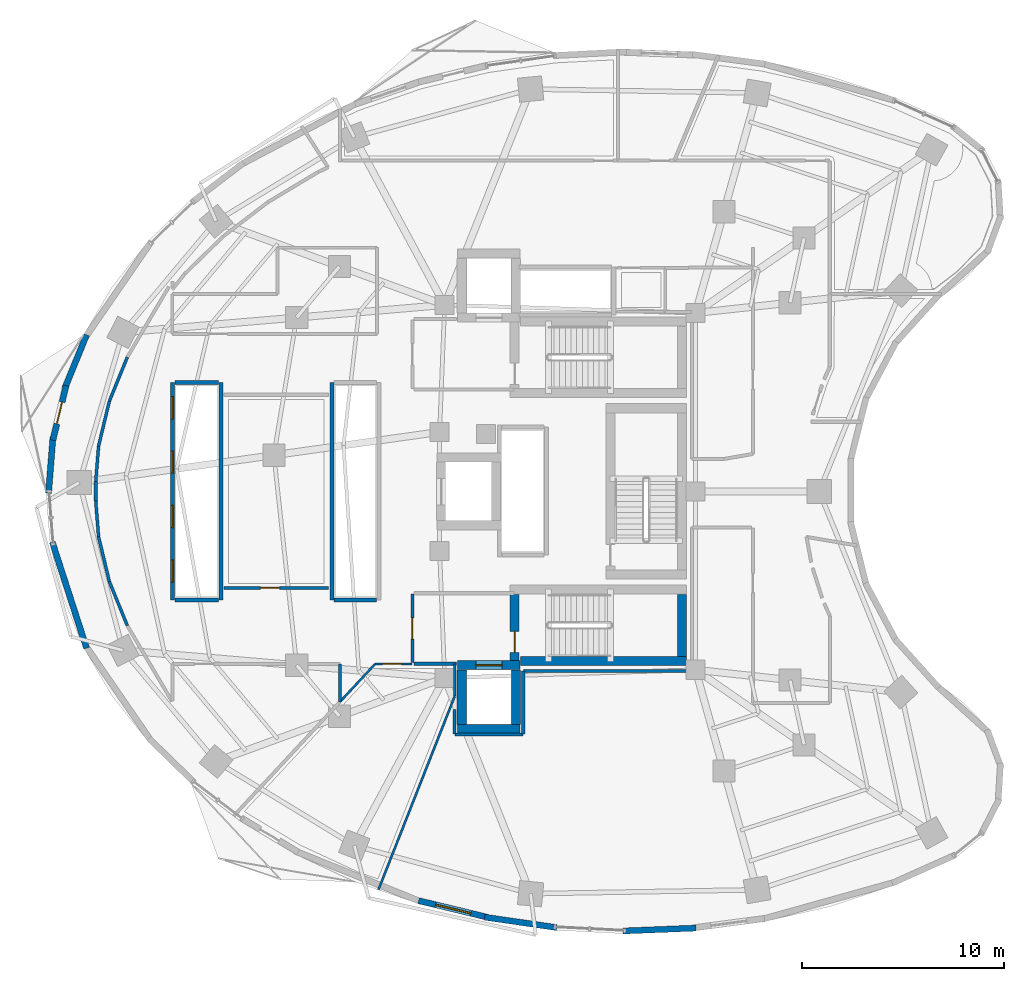
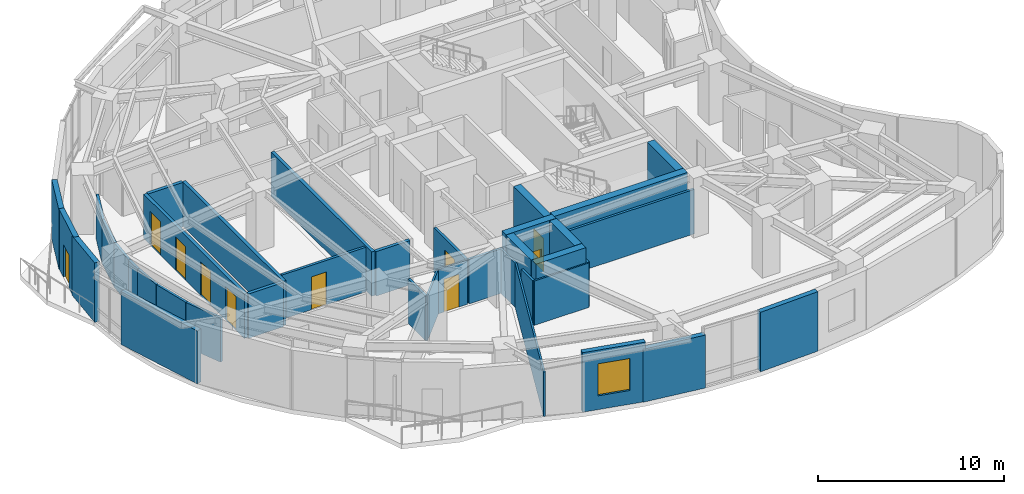
# One storey, part 8 of 14: 39 walls, 10 doors, 1 window, 11 openings.
"""IFC4 building model written with IfcOpenShell, lengths in metres."""

from ifc_helpers import new_model, si_unit, direction, frame, frame_2d, origin, place, context, subcontext, project, spatial, rectangle, extrude, material, layer, layer_set, type_object, element, fill, save


model = new_model("IFC4")

# Units and contexts
model_context = context("Model", 3, precision=1e-05, world=origin(), true_north=direction((0.0, 1.0)))
body_context = subcontext(model_context, "Body", "Model", "MODEL_VIEW")
ifc_project = project(units=[si_unit("LENGTHUNIT", "METRE"), si_unit("AREAUNIT", "SQUARE_METRE"), si_unit("VOLUMEUNIT", "CUBIC_METRE"), si_unit("PLANEANGLEUNIT", "RADIAN"), si_unit("MASSUNIT", "GRAM", prefix="KILO")], contexts=[model_context])

# Site, building, storey
site_placement = place(None, origin())
site = spatial("IfcSite", under=ifc_project, at=site_placement, CompositionType="ELEMENT")
building_placement = place(site_placement, origin())
building = spatial("IfcBuilding", under=site, at=building_placement, Name="Korentha Bioscience Tower", CompositionType="ELEMENT")
storey_placement = place(building_placement, frame((0.0, 0.0, 102.60009765625)))
storey = spatial("IfcBuildingStorey", under=building, at=storey_placement, Name="L23", CompositionType="ELEMENT", Elevation=102.60009765625)

# Walls
ifc_material_1 = material(Name="Double-Stud Acoustic Gypsum", Category="gypsum")
ifc_layer_1 = layer(ifc_material_1, 0.14990234375, Name="Double-Stud Acoustic Gypsum")
ifc_layer_set_1 = layer_set([ifc_layer_1], Name="Double-Stud Acoustic Gypsum (IW-L150)")
wall_type_1 = type_object("IfcWallType", Name="Acoustic Laboratory Partition Wall 150", PredefinedType="PARTITIONING", material=ifc_layer_set_1)
wall_1_placement = place(storey_placement, frame((9.3583984375, 33.66259765625, 0.0), z_axis=(0.0, 0.0, 1.0), x_axis=(-0.378306283753, -0.925680482495, 0.0)))
element("IfcWall", 1, at=wall_1_placement, inside=storey, type_object=wall_type_1, Name="L23 Interior Partition 022", PredefinedType="PARTITIONING", context=body_context, shape_type="SweptSolid", body=[
    extrude(rectangle(XDim=2.358154296875, YDim=0.14990234375, at=frame_2d((1.17919921875, 0.0))), origin(), (0.0, 0.0, 1.0), 2.909912109375),
])
wall_2_placement = place(storey_placement, frame((8.4658203125, 31.478515625, 0.0), z_axis=(0.0, 0.0, 1.0), x_axis=(-0.233675196412, -0.972314713754, 0.0)))
element("IfcWall", 2, at=wall_2_placement, inside=storey, type_object=wall_type_1, Name="L23 Interior Partition 023", PredefinedType="PARTITIONING", context=body_context, shape_type="SweptSolid", body=[
    extrude(rectangle(XDim=2.291259765625, YDim=0.14990234375, at=frame_2d((1.1455078125, 0.0))), origin(), (0.0, 0.0, 1.0), 2.909912109375),
])
wall_3_placement = place(storey_placement, frame((7.93017578125, 29.249267578125, 0.0), z_axis=(0.0, 0.0, 1.0), x_axis=(-0.079131522864, -0.996864184375, 0.0)))
element("IfcWall", 3, at=wall_3_placement, inside=storey, type_object=wall_type_1, Name="L23 Interior Partition 024", PredefinedType="PARTITIONING", context=body_context, shape_type="SweptSolid", body=[
    extrude(rectangle(XDim=1.77099609375, YDim=0.14990234375, at=frame_2d((0.885498046875, 0.0))), origin(), (0.0, 0.0, 1.0), 2.909912109375),
])
wall_4_placement = place(storey_placement, frame((7.7900390625, 27.48291015625, 0.0), z_axis=(0.0, 0.0, 1.0), x_axis=(0.0, -1.0, 0.0)))
element("IfcWall", 4, at=wall_4_placement, inside=storey, type_object=wall_type_1, Name="L23 Interior Partition 025", PredefinedType="PARTITIONING", context=body_context, shape_type="SweptSolid", body=[
    extrude(rectangle(XDim=0.9658203125, YDim=0.14990234375, at=frame_2d((0.48291015625, 0.0))), origin(), (0.0, 0.0, 1.0), 2.909912109375),
])
wall_5_placement = place(storey_placement, frame((7.7900390625, 26.51611328125, 0.0), z_axis=(0.0, 0.0, 1.0), x_axis=(0.079131522864, -0.996864184375, 0.0)))
element("IfcWall", 5, at=wall_5_placement, inside=storey, type_object=wall_type_1, Name="L23 Interior Partition 026", PredefinedType="PARTITIONING", context=body_context, shape_type="SweptSolid", body=[
    extrude(rectangle(XDim=1.77099609375, YDim=0.14990234375, at=frame_2d((0.885498046875, 0.0))), origin(), (0.0, 0.0, 1.0), 2.909912109375),
])
wall_6_placement = place(storey_placement, frame((7.930419921875, 24.749267578125, 0.0), z_axis=(0.0, 0.0, 1.0), x_axis=(0.233675196412, -0.972314713754, 0.0)))
element("IfcWall", 6, at=wall_6_placement, inside=storey, type_object=wall_type_1, Name="L23 Interior Partition 027", PredefinedType="PARTITIONING", context=body_context, shape_type="SweptSolid", body=[
    extrude(rectangle(XDim=2.291259765625, YDim=0.14990234375, at=frame_2d((1.1455078125, 0.0))), origin(), (0.0, 0.0, 1.0), 2.909912109375),
])
wall_7_placement = place(storey_placement, frame((8.46630859375, 22.520263671875, 0.0), z_axis=(0.0, 0.0, 1.0), x_axis=(0.378306283753, -0.925680482495, 0.0)))
element("IfcWall", 7, at=wall_7_placement, inside=storey, type_object=wall_type_1, Name="L23 Interior Partition 028", PredefinedType="PARTITIONING", context=body_context, shape_type="SweptSolid", body=[
    extrude(rectangle(XDim=2.358154296875, YDim=0.14990234375, at=frame_2d((1.17919921875, 0.0))), origin(), (0.0, 0.0, 1.0), 2.909912109375),
])
wall_8_placement = place(storey_placement, frame((19.89794921875, 18.43994140625, 0.0), z_axis=(0.0, 0.0, 1.0), x_axis=(0.0, -1.0, 0.0)))
element("IfcWall", 8, at=wall_8_placement, inside=storey, type_object=wall_type_1, Name="L23 Interior Partition 031", PredefinedType="PARTITIONING", context=body_context, shape_type="SweptSolid", body=[
    extrude(rectangle(XDim=1.883056640625, YDim=0.14990234375, at=frame_2d((0.94140625, 0.0))), origin(), (0.0, 0.0, 1.0), 2.909912109375),
])
wall_9_placement = place(storey_placement, frame((25.60400390625, 14.949951171875, 0.0), z_axis=(0.0, 0.0, 1.0), x_axis=(1.0, 0.0, 0.0)))
element("IfcWall", 9, at=wall_9_placement, inside=storey, type_object=wall_type_1, Name="L23 Interior Partition 036", PredefinedType="PARTITIONING", context=body_context, shape_type="SweptSolid", body=[
    extrude(rectangle(XDim=3.391845703125, YDim=0.14990234375, at=frame_2d((1.69580078125, 0.0))), origin(), (0.0, 0.0, 1.0), 2.909912109375),
])
wall_10_placement = place(storey_placement, frame((29.0, 14.9541015625, 0.0), z_axis=(0.0, 0.0, 1.0), x_axis=(0.0, 1.0, 0.0)))
element("IfcWall", 10, at=wall_10_placement, inside=storey, type_object=wall_type_1, Name="L23 Interior Partition 037", PredefinedType="PARTITIONING", context=body_context, shape_type="SweptSolid", body=[
    extrude(rectangle(XDim=3.135986328125, YDim=0.14990234375, at=frame_2d((1.56787109375, 0.0))), origin(), (0.0, 0.0, 1.0), 2.909912109375),
])
wall_11_placement = place(storey_placement, frame((29.0, 18.090087890625, 0.0), z_axis=(0.0, 0.0, 1.0), x_axis=(1.0, 0.0, 0.0)))
element("IfcWall", 11, at=wall_11_placement, inside=storey, type_object=wall_type_1, Name="L23 Interior Partition 038", PredefinedType="PARTITIONING", context=body_context, shape_type="SweptSolid", body=[
    extrude(rectangle(XDim=8.35009765625, YDim=0.14990234375, at=frame_2d((4.175048828125, 0.0))), origin(), (0.0, 0.0, 1.0), 2.909912109375),
])
wall_12_placement = place(storey_placement, frame((25.60009765625, 16.184814453125, 0.0), z_axis=(0.0, 0.0, 1.0), x_axis=(0.0, -1.0, 0.0)))
element("IfcWall", 12, at=wall_12_placement, inside=storey, type_object=wall_type_1, Name="L23 Interior Partition 047", PredefinedType="PARTITIONING", context=body_context, shape_type="SweptSolid", body=[
    extrude(rectangle(XDim=1.230712890625, YDim=0.14990234375, at=frame_2d((0.615234375, 0.0))), origin(), (0.0, 0.0, 1.0), 2.909912109375),
])

# Wall, opening, door
ifc_material_2 = material(Name="Fire-Rated Framed Glass", Category="glass")
ifc_layer_2 = layer(ifc_material_2, 0.110107421875, Name="Fire-Rated Framed Glass")
ifc_layer_set_2 = layer_set([ifc_layer_2], Name="Fire-Rated Framed Glass (IW-G110)")
wall_type_2 = type_object("IfcWallType", Name="Demountable Glazed Office Partition 110", PredefinedType="MOVABLE", material=ifc_layer_set_2)
wall_13_placement = place(storey_placement, frame((21.65380859375, 18.43994140625, 0.0), z_axis=(0.0, 0.0, 1.0), x_axis=(1.0, 0.0, 0.0)))
wall_13 = element("IfcWall", 13, at=wall_13_placement, inside=storey, type_object=wall_type_2, Name="L23 Research Colloquium Seminar Room 02 Entrance Wall", PredefinedType="MOVABLE", context=body_context, shape_type="SweptSolid", body=[
    extrude(rectangle(XDim=1.836181640625, YDim=0.110107421875, at=frame_2d((0.91796875, 0.0))), origin(), (0.0, 0.0, 1.0), 2.909912109375),
])
opening_1_placement = place(wall_13_placement, frame((0.3662109375, 0.0, 0.0)))
opening_1 = element("IfcOpeningElement", 14, at=opening_1_placement, cuts=wall_13, Name="Opening ID-10R", PredefinedType="OPENING", context=body_context, shape_type="SweptSolid", body=[
    extrude(rectangle(XDim=0.949951171875, YDim=2.14990234375, at=frame_2d((0.47509765625, 1.074951171875))), frame((0.0, 0.06982421875, 0.0), z_axis=(0.0, -1.0, 0.0), x_axis=(1.0, 0.0, 0.0)), (0.0, 0.0, 1.0), 0.139892578125),
])
ifc_material_3 = material(Name="Phenolic Laminate Timber Core", Category="wood")
door_type_1 = type_object("IfcDoorType", Name="Laboratory Single Leaf Door 950x2150 Right", OperationType="SINGLE_SWING_RIGHT", PredefinedType="DOOR", material=ifc_material_3)
door_1_placement = place(opening_1_placement, origin())
door_1 = element("IfcDoor", 15, at=door_1_placement, inside=storey, type_object=door_type_1, Name="L23 Research Colloquium Seminar Room 02 Door", OperationType="SINGLE_SWING_RIGHT", OverallHeight=2.14990234375, OverallWidth=0.949951171875, PredefinedType="DOOR", context=body_context, shape_type="SweptSolid", body=[
    extrude(rectangle(XDim=0.949951171875, YDim=2.14990234375, at=frame_2d((0.47509765625, 1.074951171875))), frame((0.0, 0.02490234375, 0.0), z_axis=(0.0, -1.0, 0.0), x_axis=(1.0, 0.0, 0.0)), (0.0, 0.0, 1.0), 0.050048828125),
])
fill(opening_1, door_1)

# Walls
wall_14_placement = place(storey_placement, frame((25.60009765625, 18.43603515625, 0.0), z_axis=(0.0, 0.0, 1.0), x_axis=(0.0, -1.0, 0.0)))
element("IfcWall", 16, at=wall_14_placement, inside=storey, type_object=wall_type_2, Name="L23 Interior Partition 033", PredefinedType="MOVABLE", context=body_context, shape_type="SweptSolid", body=[
    extrude(rectangle(XDim=1.5966796875, YDim=0.110107421875, at=frame_2d((0.79833984375, 0.0))), origin(), (0.0, 0.0, 1.0), 2.909912109375),
])
wall_15_placement = place(storey_placement, frame((25.60009765625, 16.839111328125, 0.0), z_axis=(0.0, 0.0, 1.0), x_axis=(-0.366770390094, -0.930311496731, 0.0)))
element("IfcWall", 17, at=wall_15_placement, inside=storey, type_object=wall_type_2, Name="L23 Interior Partition 034", PredefinedType="MOVABLE", context=body_context, shape_type="SweptSolid", body=[
    extrude(rectangle(XDim=10.314208984375, YDim=0.110107421875, at=frame_2d((5.1572265625, 0.0))), origin(), (0.0, 0.0, 1.0), 2.909912109375),
])
wall_16_placement = place(storey_placement, frame((19.907958984375, 16.561767578125, 0.0), z_axis=(0.0, 0.0, 1.0), x_axis=(0.6808344478, 0.732437338404, 0.0)))
element("IfcWall", 18, at=wall_16_placement, inside=storey, type_object=wall_type_2, Name="L23 Interior Partition 035", PredefinedType="MOVABLE", context=body_context, shape_type="SweptSolid", body=[
    extrude(rectangle(XDim=2.564208984375, YDim=0.110107421875, at=frame_2d((1.2822265625, 0.0))), origin(), (0.0, 0.0, 1.0), 2.909912109375),
])

# Wall, opening, door
ifc_material_4 = material(Name="Gypsum-Clad Steel Stud", Category="steel")
ifc_layer_3 = layer(ifc_material_4, 0.159912109375, Name="Gypsum-Clad Steel Stud")
ifc_layer_set_3 = layer_set([ifc_layer_3], Name="Gypsum-Clad Steel Stud (IW-C160)")
wall_type_3 = type_object("IfcWallType", Name="Fire-Rated Corridor Partition Wall 160", PredefinedType="PARTITIONING", material=ifc_layer_set_3)
wall_17_placement = place(storey_placement, frame((23.5, 18.5, 0.0), z_axis=(0.0, 0.0, 1.0), x_axis=(0.0, 1.0, 0.0)))
wall_17 = element("IfcWall", 19, at=wall_17_placement, inside=storey, type_object=wall_type_3, Name="L23 FFLS-CW Rated Enclosure Wall", PredefinedType="PARTITIONING", context=body_context, shape_type="SweptSolid", body=[
    extrude(rectangle(XDim=3.39990234375, YDim=0.159912109375, at=frame_2d((1.699951171875, 0.0))), origin(), (0.0, 0.0, 1.0), 2.909912109375),
])
opening_2_placement = place(wall_17_placement, frame((1.175048828125, 0.0, 0.0)))
opening_2 = element("IfcOpeningElement", 20, at=opening_2_placement, cuts=wall_17, Name="Opening FD-90R", PredefinedType="OPENING", context=body_context, shape_type="SweptSolid", body=[
    extrude(rectangle(XDim=1.050048828125, YDim=2.14990234375, at=frame_2d((0.52490234375, 1.074951171875))), frame((0.0, 0.0947265625, 0.0), z_axis=(0.0, -1.0, 0.0), x_axis=(1.0, 0.0, 0.0)), (0.0, 0.0, 1.0), 0.189697265625),
])
ifc_material_5 = material(Name="Powder-Coated Fire-Rated Steel", Category="steel")
door_type_2 = type_object("IfcDoorType", Name="Stairwell Fire Exit Door 1050x2150 Right", OperationType="SINGLE_SWING_RIGHT", PredefinedType="DOOR", material=ifc_material_5)
door_2_placement = place(opening_2_placement, origin())
door_2 = element("IfcDoor", 21, at=door_2_placement, inside=storey, type_object=door_type_2, Name="L23 South Firefighting Lobby Door", OperationType="SINGLE_SWING_RIGHT", OverallHeight=2.14990234375, OverallWidth=1.050048828125, PredefinedType="DOOR", context=body_context, shape_type="SweptSolid", body=[
    extrude(rectangle(XDim=1.050048828125, YDim=2.14990234375, at=frame_2d((0.52490234375, 1.074951171875))), frame((0.0, 0.02490234375, 0.0), z_axis=(0.0, -1.0, 0.0), x_axis=(1.0, 0.0, 0.0)), (0.0, 0.0, 1.0), 0.050048828125),
])
fill(opening_2, door_2)

# Wall
wall_18_placement = place(storey_placement, frame((23.580078125, 18.449951171875, 0.0), z_axis=(0.0, 0.0, 1.0), x_axis=(1.0, 0.0, 0.0)))
element("IfcWall", 22, at=wall_18_placement, inside=storey, type_object=wall_type_3, Name="L23 Firefighting Lobby Return Wall FFLS-S", PredefinedType="PARTITIONING", context=body_context, shape_type="SweptSolid", body=[
    extrude(rectangle(XDim=2.119873046875, YDim=0.159912109375, at=frame_2d((1.06005859375, 0.0))), origin(), (0.0, 0.0, 1.0), 2.909912109375),
])

# Wall, opening, door
wall_19_placement = place(storey_placement, frame((19.340087890625, 22.2099609375, 0.0), z_axis=(0.0, 0.0, 1.0), x_axis=(-1.0, 0.0, 0.0)))
wall_19 = element("IfcWall", 23, at=wall_19_placement, inside=storey, type_object=wall_type_3, Name="L23 Glassware Autoclave Wash Alcove 10 Entrance Wall", PredefinedType="PARTITIONING", context=body_context, shape_type="SweptSolid", body=[
    extrude(rectangle(XDim=5.18017578125, YDim=0.159912109375, at=frame_2d((2.590087890625, 0.0))), origin(), (0.0, 0.0, 1.0), 2.909912109375),
])
opening_3_placement = place(wall_19_placement, frame((2.430908203125, 0.0, 0.0)))
opening_3 = element("IfcOpeningElement", 24, at=opening_3_placement, cuts=wall_19, Name="Opening ID-10R", PredefinedType="OPENING", context=body_context, shape_type="SweptSolid", body=[
    extrude(rectangle(XDim=0.949951171875, YDim=2.14990234375, at=frame_2d((0.47509765625, 1.074951171875))), frame((0.0, 0.0947265625, 0.0), z_axis=(0.0, -1.0, 0.0), x_axis=(1.0, 0.0, 0.0)), (0.0, 0.0, 1.0), 0.189697265625),
])
door_3_placement = place(opening_3_placement, origin())
door_3 = element("IfcDoor", 25, at=door_3_placement, inside=storey, type_object=door_type_1, Name="L23 Glassware Autoclave Wash Alcove 10 Door", OperationType="SINGLE_SWING_RIGHT", OverallHeight=2.14990234375, OverallWidth=0.949951171875, PredefinedType="DOOR", context=body_context, shape_type="SweptSolid", body=[
    extrude(rectangle(XDim=0.949951171875, YDim=2.14990234375, at=frame_2d((0.47509765625, 1.074951171875))), frame((0.0, 0.02490234375, 0.0), z_axis=(0.0, -1.0, 0.0), x_axis=(1.0, 0.0, 0.0)), (0.0, 0.0, 1.0), 0.050048828125),
])
fill(opening_3, door_3)

ifc_material_6 = material(Name="Honed Limestone Precast Concrete C40", Category="masonry")
ifc_layer_4 = layer(ifc_material_6, 0.300048828125, Name="Honed Limestone Precast Concrete C40")
ifc_layer_set_4 = layer_set([ifc_layer_4], Name="Honed Limestone Precast Concrete C40 (EW-ST300)")
wall_type_4 = type_object("IfcWallType", Name="Honed Limestone Cavity Spandrel Wall 300", PredefinedType="STANDARD", material=ifc_layer_set_4)
wall_20_placement = place(storey_placement, frame((6.316162109375, 32.248046875, 0.0), z_axis=(0.0, 0.0, 1.0), x_axis=(-0.233687533313, -0.972311748759, 0.0)))
wall_20 = element("IfcWall", 26, at=wall_20_placement, inside=storey, type_object=wall_type_4, Name="L23 Balcony Threshold Wall 02", PredefinedType="STANDARD", context=body_context, shape_type="SweptSolid", body=[
    extrude(rectangle(XDim=2.788330078125, YDim=0.300048828125, at=frame_2d((1.39404296875, 0.0))), origin(), (0.0, 0.0, 1.0), 3.89990234375),
])
opening_4_placement = place(wall_20_placement, frame((0.84423828125, 0.0, 0.0)))
opening_4 = element("IfcOpeningElement", 27, at=opening_4_placement, cuts=wall_20, Name="Opening BD-11R", PredefinedType="OPENING", context=body_context, shape_type="SweptSolid", body=[
    extrude(rectangle(XDim=1.10009765625, YDim=2.14990234375, at=frame_2d((0.550048828125, 1.074951171875))), frame((0.0, 0.1650390625, 0.0), z_axis=(0.0, -1.0, 0.0), x_axis=(1.0, 0.0, 0.0)), (0.0, 0.0, 1.0), 0.329833984375),
])
ifc_material_7 = material(Name="Thermally Broken Glazed Aluminium", Category="aluminium")
door_type_3 = type_object("IfcDoorType", Name="Balcony Terrace Glazed Door 1100x2150 Right", OperationType="SINGLE_SWING_RIGHT", PredefinedType="DOOR", material=ifc_material_7)
door_4_placement = place(opening_4_placement, origin())
door_4 = element("IfcDoor", 28, at=door_4_placement, inside=storey, type_object=door_type_3, Name="L23 Balcony Access Door 02", OperationType="SINGLE_SWING_RIGHT", OverallHeight=2.14990234375, OverallWidth=1.10009765625, PredefinedType="DOOR", context=body_context, shape_type="SweptSolid", body=[
    extrude(rectangle(XDim=1.10009765625, YDim=2.14990234375, at=frame_2d((0.550048828125, 1.074951171875))), frame((0.0, 0.02490234375, 0.0), z_axis=(0.0, -1.0, 0.0), x_axis=(1.0, 0.0, 0.0)), (0.0, 0.0, 1.0), 0.050048828125),
])
fill(opening_4, door_4)

# Wall, opening, window
wall_21_placement = place(storey_placement, frame((23.80859375, 6.694580078125, 0.0), z_axis=(0.0, 0.0, 1.0), x_axis=(0.972049000874, -0.234778065203, 0.0)))
wall_21 = element("IfcWall", 29, at=wall_21_placement, inside=storey, type_object=wall_type_4, Name="L23 Honed Limestone Spandrel Wall 29", PredefinedType="STANDARD", context=body_context, shape_type="SweptSolid", body=[
    extrude(rectangle(XDim=3.5283203125, YDim=0.300048828125, at=frame_2d((1.76416015625, 0.0))), origin(), (0.0, 0.0, 1.0), 3.89990234375),
])
opening_5_placement = place(wall_21_placement, frame((0.8642578125, 0.0, 0.89990234375)))
opening_5 = element("IfcOpeningElement", 30, at=opening_5_placement, cuts=wall_21, Name="Opening WN-01", PredefinedType="OPENING", context=body_context, shape_type="SweptSolid", body=[
    extrude(rectangle(XDim=1.800048828125, YDim=2.10009765625, at=frame_2d((0.89990234375, 1.050048828125))), frame((0.0, 0.1650390625, 0.0), z_axis=(0.0, -1.0, 0.0), x_axis=(1.0, 0.0, 0.0)), (0.0, 0.0, 1.0), 0.329833984375),
])
ifc_material_8 = material(Name="Thermally Broken Aluminium Triple Glazing", Category="aluminium")
window_type = type_object("IfcWindowType", Name="Triple-Glazed Fixed Bioscience Window 1800x2100", PartitioningType="SINGLE_PANEL", PredefinedType="WINDOW", material=ifc_material_8)
window_placement = place(opening_5_placement, origin())
window = element("IfcWindow", 31, at=window_placement, inside=storey, type_object=window_type, Name="L23 Facade Window 29", OverallHeight=2.10009765625, OverallWidth=1.800048828125, PartitioningType="SINGLE_PANEL", PredefinedType="WINDOW", context=body_context, shape_type="SweptSolid", body=[
    extrude(rectangle(XDim=1.800048828125, YDim=2.10009765625, at=frame_2d((0.89990234375, 1.050048828125))), frame((0.0, 0.030029296875, 0.0), z_axis=(0.0, -1.0, 0.0), x_axis=(1.0, 0.0, 0.0)), (0.0, 0.0, 1.0), 0.06005859375),
])
fill(opening_5, window)

# Walls
wall_22_placement = place(storey_placement, frame((7.336181640625, 34.76708984375, 0.0), z_axis=(0.0, 0.0, 1.0), x_axis=(-0.378421675944, -0.925633315722, 0.0)))
element("IfcWall", 32, at=wall_22_placement, inside=storey, type_object=wall_type_4, Name="L23 Limestone Perimeter Closure Wall 16", PredefinedType="STANDARD", context=body_context, shape_type="SweptSolid", body=[
    extrude(rectangle(XDim=2.88134765625, YDim=0.300048828125, at=frame_2d((1.440673828125, 0.0))), origin(), (0.0, 0.0, 1.0), 3.89990234375),
])
wall_23_placement = place(storey_placement, frame((5.668701171875, 29.701171875, 0.0), z_axis=(0.0, 0.0, 1.0), x_axis=(-0.079062676622, -0.996869647028, 0.0)))
element("IfcWall", 33, at=wall_23_placement, inside=storey, type_object=wall_type_4, Name="L23 Limestone Perimeter Closure Wall 18", PredefinedType="STANDARD", context=body_context, shape_type="SweptSolid", body=[
    extrude(rectangle(XDim=2.80078125, YDim=0.300048828125, at=frame_2d((1.400390625, 0.0))), origin(), (0.0, 0.0, 1.0), 3.89990234375),
])
wall_24_placement = place(storey_placement, frame((5.631591796875, 24.48681640625, 0.0), z_axis=(0.0, 0.0, 1.0), x_axis=(0.307599470659, -0.951515930319, 0.0)))
element("IfcWall", 34, at=wall_24_placement, inside=storey, type_object=wall_type_4, Name="L23 Limestone Perimeter Closure Wall 20", PredefinedType="STANDARD", context=body_context, shape_type="SweptSolid", body=[
    extrude(rectangle(XDim=5.534423828125, YDim=0.300048828125, at=frame_2d((2.76708984375, 0.0))), origin(), (0.0, 0.0, 1.0), 3.469970703125),
])
wall_25_placement = place(storey_placement, frame((27.083251953125, 5.874755859375, 0.0), z_axis=(0.0, 0.0, 1.0), x_axis=(0.989734732902, -0.142916613754, 0.0)))
element("IfcWall", 35, at=wall_25_placement, inside=storey, type_object=wall_type_4, Name="L23 Limestone Perimeter Closure Wall 30", PredefinedType="STANDARD", context=body_context, shape_type="SweptSolid", body=[
    extrude(rectangle(XDim=3.611328125, YDim=0.300048828125, at=frame_2d((1.8056640625, 0.0))), origin(), (0.0, 0.0, 1.0), 3.469970703125),
])
wall_26_placement = place(storey_placement, frame((33.94189453125, 5.189453125, 0.0), z_axis=(0.0, 0.0, 1.0), x_axis=(0.999212076676, 0.039689114679, 0.0)))
element("IfcWall", 36, at=wall_26_placement, inside=storey, type_object=wall_type_4, Name="L23 Limestone Perimeter Closure Wall 32", PredefinedType="STANDARD", context=body_context, shape_type="SweptSolid", body=[
    extrude(rectangle(XDim=3.635498046875, YDim=0.300048828125, at=frame_2d((1.81787109375, 0.0))), origin(), (0.0, 0.0, 1.0), 3.89990234375),
])

# Wall, openings, doors
ifc_material_9 = material(Name="Autoclaved Aerated Concrete Block C25", Category="concrete")
ifc_layer_5 = layer(ifc_material_9, 0.199951171875, Name="Autoclaved Aerated Concrete Block C25")
ifc_layer_set_5 = layer_set([ifc_layer_5], Name="Autoclaved Aerated Concrete Block C25 (IW-S200)")
wall_type_5 = type_object("IfcWallType", Name="Lift and Riser Shaft Enclosure Wall 200", PredefinedType="PARTITIONING", material=ifc_layer_set_5)
wall_27_placement = place(storey_placement, frame((11.60009765625, 21.60009765625, 0.0), z_axis=(0.0, 0.0, 1.0), x_axis=(0.0, 1.0, 0.0)))
wall_27 = element("IfcWall", 37, at=wall_27_placement, inside=storey, type_object=wall_type_5, Name="L23 Lift Bank LOW Shaft Wall -X", PredefinedType="PARTITIONING", context=body_context, shape_type="SweptSolid", body=[
    extrude(rectangle(XDim=10.7998046875, YDim=0.199951171875, at=frame_2d((5.39990234375, 0.0))), origin(), (0.0, 0.0, 1.0), 2.909912109375),
])
opening_6_placement = place(wall_27_placement, frame((0.89990234375, 0.0, 0.0)))
opening_6 = element("IfcOpeningElement", 38, at=opening_6_placement, cuts=wall_27, Name="Opening LD-11", PredefinedType="OPENING", context=body_context, shape_type="SweptSolid", body=[
    extrude(rectangle(XDim=1.10009765625, YDim=2.199951171875, at=frame_2d((0.550048828125, 1.10009765625))), frame((0.0, 0.11474609375, 0.0), z_axis=(0.0, -1.0, 0.0), x_axis=(1.0, 0.0, 0.0)), (0.0, 0.0, 1.0), 0.229736328125),
])
opening_7_placement = place(wall_27_placement, frame((3.60009765625, 0.0, 0.0)))
opening_7 = element("IfcOpeningElement", 39, at=opening_7_placement, cuts=wall_27, Name="Opening LD-11", PredefinedType="OPENING", context=body_context, shape_type="SweptSolid", body=[
    extrude(rectangle(XDim=1.10009765625, YDim=2.199951171875, at=frame_2d((0.550048828125, 1.10009765625))), frame((0.0, 0.11474609375, 0.0), z_axis=(0.0, -1.0, 0.0), x_axis=(1.0, 0.0, 0.0)), (0.0, 0.0, 1.0), 0.229736328125),
])
opening_8_placement = place(wall_27_placement, frame((6.300048828125, 0.0, 0.0)))
opening_8 = element("IfcOpeningElement", 40, at=opening_8_placement, cuts=wall_27, Name="Opening LD-11", PredefinedType="OPENING", context=body_context, shape_type="SweptSolid", body=[
    extrude(rectangle(XDim=1.10009765625, YDim=2.199951171875, at=frame_2d((0.550048828125, 1.10009765625))), frame((0.0, 0.11474609375, 0.0), z_axis=(0.0, -1.0, 0.0), x_axis=(1.0, 0.0, 0.0)), (0.0, 0.0, 1.0), 0.229736328125),
])
opening_9_placement = place(wall_27_placement, frame((9.0, 0.0, 0.0)))
opening_9 = element("IfcOpeningElement", 41, at=opening_9_placement, cuts=wall_27, Name="Opening LD-11", PredefinedType="OPENING", context=body_context, shape_type="SweptSolid", body=[
    extrude(rectangle(XDim=1.10009765625, YDim=2.199951171875, at=frame_2d((0.550048828125, 1.10009765625))), frame((0.0, 0.11474609375, 0.0), z_axis=(0.0, -1.0, 0.0), x_axis=(1.0, 0.0, 0.0)), (0.0, 0.0, 1.0), 0.229736328125),
])
ifc_material_10 = material(Name="Brushed Stainless Steel 304", Category="steel")
door_type_4 = type_object("IfcDoorType", Name="Passenger Lift Sliding Landing Door 1100x2200", OperationType="DOUBLE_DOOR_SLIDING", PredefinedType="DOOR", material=ifc_material_10)
door_5_placement = place(opening_6_placement, origin())
door_5 = element("IfcDoor", 42, at=door_5_placement, inside=storey, type_object=door_type_4, Name="L23 PL-L1 Sliding Lift Landing Door", OperationType="DOUBLE_DOOR_SLIDING", OverallHeight=2.199951171875, OverallWidth=1.10009765625, PredefinedType="DOOR", context=body_context, shape_type="SweptSolid", body=[
    extrude(rectangle(XDim=1.10009765625, YDim=2.199951171875, at=frame_2d((0.550048828125, 1.10009765625))), frame((0.0, 0.02490234375, 0.0), z_axis=(0.0, -1.0, 0.0), x_axis=(1.0, 0.0, 0.0)), (0.0, 0.0, 1.0), 0.050048828125),
])
fill(opening_6, door_5)
door_6_placement = place(opening_7_placement, origin())
door_6 = element("IfcDoor", 43, at=door_6_placement, inside=storey, type_object=door_type_4, Name="L23 PL-L2 Sliding Lift Landing Door", OperationType="DOUBLE_DOOR_SLIDING", OverallHeight=2.199951171875, OverallWidth=1.10009765625, PredefinedType="DOOR", context=body_context, shape_type="SweptSolid", body=[
    extrude(rectangle(XDim=1.10009765625, YDim=2.199951171875, at=frame_2d((0.550048828125, 1.10009765625))), frame((0.0, 0.02490234375, 0.0), z_axis=(0.0, -1.0, 0.0), x_axis=(1.0, 0.0, 0.0)), (0.0, 0.0, 1.0), 0.050048828125),
])
fill(opening_7, door_6)
door_7_placement = place(opening_8_placement, origin())
door_7 = element("IfcDoor", 44, at=door_7_placement, inside=storey, type_object=door_type_4, Name="L23 PL-L3 Sliding Lift Landing Door", OperationType="DOUBLE_DOOR_SLIDING", OverallHeight=2.199951171875, OverallWidth=1.10009765625, PredefinedType="DOOR", context=body_context, shape_type="SweptSolid", body=[
    extrude(rectangle(XDim=1.10009765625, YDim=2.199951171875, at=frame_2d((0.550048828125, 1.10009765625))), frame((0.0, 0.02490234375, 0.0), z_axis=(0.0, -1.0, 0.0), x_axis=(1.0, 0.0, 0.0)), (0.0, 0.0, 1.0), 0.050048828125),
])
fill(opening_8, door_7)
door_8_placement = place(opening_9_placement, origin())
door_8 = element("IfcDoor", 45, at=door_8_placement, inside=storey, type_object=door_type_4, Name="L23 PL-L4 Sliding Lift Landing Door", OperationType="DOUBLE_DOOR_SLIDING", OverallHeight=2.199951171875, OverallWidth=1.10009765625, PredefinedType="DOOR", context=body_context, shape_type="SweptSolid", body=[
    extrude(rectangle(XDim=1.10009765625, YDim=2.199951171875, at=frame_2d((0.550048828125, 1.10009765625))), frame((0.0, 0.02490234375, 0.0), z_axis=(0.0, -1.0, 0.0), x_axis=(1.0, 0.0, 0.0)), (0.0, 0.0, 1.0), 0.050048828125),
])
fill(opening_9, door_8)

# Walls
wall_28_placement = place(storey_placement, frame((14.0, 21.60009765625, 0.0), z_axis=(0.0, 0.0, 1.0), x_axis=(0.0, 1.0, 0.0)))
element("IfcWall", 46, at=wall_28_placement, inside=storey, type_object=wall_type_5, Name="L23 Lift Bank LOW Shaft Wall +X", PredefinedType="PARTITIONING", context=body_context, shape_type="SweptSolid", body=[
    extrude(rectangle(XDim=10.7998046875, YDim=0.199951171875, at=frame_2d((5.39990234375, 0.0))), origin(), (0.0, 0.0, 1.0), 2.909912109375),
])
for number, where, z_axis, x_axis, name in (
    (47, (11.719970703125, 21.60009765625, 0.0), (0.0, 0.0, 1.0), (1.0, 0.0, 0.0), "L23 Lift Bank LOW Shaft Wall -Y"),
    (48, (11.719970703125, 32.39990234375, 0.0), (0.0, 0.0, 1.0), (1.0, 0.0, 0.0), "L23 Lift Bank LOW Shaft Wall +Y"),
):
    element("IfcWall", number, at=place(storey_placement, frame(where, z_axis=z_axis, x_axis=x_axis)), inside=storey, type_object=wall_type_5, Name=name, PredefinedType="PARTITIONING", context=body_context, shape_type="SweptSolid", body=[
        extrude(rectangle(XDim=2.159912109375, YDim=0.199951171875, at=frame_2d((1.080078125, 0.0))), origin(), (0.0, 0.0, 1.0), 2.909912109375),
    ])
wall_29_placement = place(storey_placement, frame((19.5, 21.60009765625, 0.0), z_axis=(0.0, 0.0, 1.0), x_axis=(0.0, 1.0, 0.0)))
element("IfcWall", 49, at=wall_29_placement, inside=storey, type_object=wall_type_5, Name="L23 Lift Bank MID Shaft Wall -X", PredefinedType="PARTITIONING", context=body_context, shape_type="SweptSolid", body=[
    extrude(rectangle(XDim=10.7998046875, YDim=0.199951171875, at=frame_2d((5.39990234375, 0.0))), origin(), (0.0, 0.0, 1.0), 2.909912109375),
])
wall_30_placement = place(storey_placement, frame((19.6201171875, 21.60009765625, 0.0), z_axis=(0.0, 0.0, 1.0), x_axis=(1.0, 0.0, 0.0)))
element("IfcWall", 50, at=wall_30_placement, inside=storey, type_object=wall_type_5, Name="L23 Lift Bank MID Shaft Wall -Y", PredefinedType="PARTITIONING", context=body_context, shape_type="SweptSolid", body=[
    extrude(rectangle(XDim=2.10986328125, YDim=0.199951171875, at=frame_2d((1.054931640625, 0.0))), origin(), (0.0, 0.0, 1.0), 2.909912109375),
])
ifc_material_11 = material(Name="Concrete C80", Category="concrete")
ifc_layer_6 = layer(ifc_material_11, 0.449951171875, Name="Concrete C80")
ifc_layer_set_6 = layer_set([ifc_layer_6], Name="Concrete C80 (CW-C80)")
wall_type_6 = type_object("IfcWallType", Name="Lower Core Shear Wall 450", PredefinedType="SHEAR", material=ifc_layer_set_6)
wall_31_placement = place(storey_placement, frame((28.85205078125, 18.574951171875, 0.0), z_axis=(0.0, 0.0, 1.0), x_axis=(1.0, 0.0, 0.0)))
element("IfcWall", 51, at=wall_31_placement, inside=storey, type_object=wall_type_6, Name="L23 Core Shear Wall ST2-S", PredefinedType="SHEAR", context=body_context, shape_type="SweptSolid", body=[
    extrude(rectangle(XDim=8.248046875, YDim=0.449951171875, at=frame_2d((4.1240234375, 0.0))), origin(), (0.0, 0.0, 1.0), 3.89990234375),
])
wall_32_placement = place(storey_placement, frame((36.875, 18.81005859375, 0.0), z_axis=(0.0, 0.0, 1.0), x_axis=(0.0, 1.0, 0.0)))
element("IfcWall", 52, at=wall_32_placement, inside=storey, type_object=wall_type_6, Name="L23 Core Shear Wall ST2-E", PredefinedType="SHEAR", context=body_context, shape_type="SweptSolid", body=[
    extrude(rectangle(XDim=3.079833984375, YDim=0.449951171875, at=frame_2d((1.5400390625, 0.0))), origin(), (0.0, 0.0, 1.0), 3.89990234375),
])

# Wall, opening, door
wall_33_placement = place(storey_placement, frame((28.574951171875, 18.60693359375, 0.0), z_axis=(0.0, 0.0, 1.0), x_axis=(0.0, 1.0, 0.0)))
wall_33 = element("IfcWall", 53, at=wall_33_placement, inside=storey, type_object=wall_type_6, Name="L23 Core Shear Wall ST2-W", PredefinedType="SHEAR", context=body_context, shape_type="SweptSolid", body=[
    extrude(rectangle(XDim=3.282958984375, YDim=0.449951171875, at=frame_2d((1.6416015625, 0.0))), origin(), (0.0, 0.0, 1.0), 3.89990234375),
])
opening_10_placement = place(wall_33_placement, frame((0.403076171875, 0.0, 0.0)))
opening_10 = element("IfcOpeningElement", 54, at=opening_10_placement, cuts=wall_33, Name="Opening FD-90R", PredefinedType="OPENING", context=body_context, shape_type="SweptSolid", body=[
    extrude(rectangle(XDim=1.050048828125, YDim=2.14990234375, at=frame_2d((0.52490234375, 1.074951171875))), frame((0.0, 0.23974609375, 0.0), z_axis=(0.0, -1.0, 0.0), x_axis=(1.0, 0.0, 0.0)), (0.0, 0.0, 1.0), 0.479736328125),
])
door_9_placement = place(opening_10_placement, origin())
door_9 = element("IfcDoor", 55, at=door_9_placement, inside=storey, type_object=door_type_2, Name="L23 ST-2 Fire Exit Stair Door", OperationType="SINGLE_SWING_RIGHT", OverallHeight=2.14990234375, OverallWidth=1.050048828125, PredefinedType="DOOR", context=body_context, shape_type="SweptSolid", body=[
    extrude(rectangle(XDim=1.050048828125, YDim=2.14990234375, at=frame_2d((0.52490234375, 1.074951171875))), frame((0.0, 0.02490234375, 0.0), z_axis=(0.0, -1.0, 0.0), x_axis=(1.0, 0.0, 0.0)), (0.0, 0.0, 1.0), 0.050048828125),
])
fill(opening_10, door_9)

# Wall
wall_34_placement = place(storey_placement, frame((25.75, 15.199951171875, 0.0), z_axis=(0.0, 0.0, 1.0), x_axis=(1.0, 0.0, 0.0)))
element("IfcWall", 56, at=wall_34_placement, inside=storey, type_object=wall_type_6, Name="L23 Core Shear Wall FFL1-S", PredefinedType="SHEAR", context=body_context, shape_type="SweptSolid", body=[
    extrude(rectangle(XDim=3.10009765625, YDim=0.449951171875, at=frame_2d((1.550048828125, 0.0))), origin(), (0.0, 0.0, 1.0), 3.89990234375),
])

# Wall, opening, door
wall_35_placement = place(storey_placement, frame((25.75, 18.3798828125, 0.0), z_axis=(0.0, 0.0, 1.0), x_axis=(1.0, 0.0, 0.0)))
wall_35 = element("IfcWall", 57, at=wall_35_placement, inside=storey, type_object=wall_type_6, Name="L23 Core Shear Wall FFL1-N", PredefinedType="SHEAR", context=body_context, shape_type="SweptSolid", body=[
    extrude(rectangle(XDim=3.10009765625, YDim=0.449951171875, at=frame_2d((1.550048828125, 0.0))), origin(), (0.0, 0.0, 1.0), 3.89990234375),
])
opening_11_placement = place(wall_35_placement, frame((0.89990234375, 0.0, 0.0)))
opening_11 = element("IfcOpeningElement", 58, at=opening_11_placement, cuts=wall_35, Name="Opening LD-13", PredefinedType="OPENING", context=body_context, shape_type="SweptSolid", body=[
    extrude(rectangle(XDim=1.300048828125, YDim=2.199951171875, at=frame_2d((0.64990234375, 1.10009765625))), frame((0.0, 0.23974609375, 0.0), z_axis=(0.0, -1.0, 0.0), x_axis=(1.0, 0.0, 0.0)), (0.0, 0.0, 1.0), 0.479736328125),
])
ifc_material_12 = material(Name="Brushed Stainless Steel 316", Category="steel")
door_type_5 = type_object("IfcDoorType", Name="Service & Firefighting Lift Landing Door 1300x2300", OperationType="DOUBLE_DOOR_SLIDING", PredefinedType="DOOR", material=ifc_material_12)
door_10_placement = place(opening_11_placement, origin())
door_10 = element("IfcDoor", 59, at=door_10_placement, inside=storey, type_object=door_type_5, Name="L23 FFL-1 Sliding Lift Landing Door", OperationType="DOUBLE_DOOR_SLIDING", OverallHeight=2.199951171875, OverallWidth=1.300048828125, PredefinedType="DOOR", context=body_context, shape_type="SweptSolid", body=[
    extrude(rectangle(XDim=1.300048828125, YDim=2.199951171875, at=frame_2d((0.64990234375, 1.10009765625))), frame((0.0, 0.02490234375, 0.0), z_axis=(0.0, -1.0, 0.0), x_axis=(1.0, 0.0, 0.0)), (0.0, 0.0, 1.0), 0.050048828125),
])
fill(opening_11, door_10)

# Walls
for number, where, z_axis, x_axis, name in (
    (60, (25.949951171875, 15.43994140625, 0.0), (0.0, 0.0, 1.0), (0.0, 1.0, 0.0), "L23 Core Shear Wall FFL1-W"),
    (61, (28.64990234375, 15.43994140625, 0.0), (0.0, 0.0, 1.0), (0.0, 1.0, 0.0), "L23 Core Shear Wall FFL1-E"),
):
    element("IfcWall", number, at=place(storey_placement, frame(where, z_axis=z_axis, x_axis=x_axis)), inside=storey, type_object=wall_type_6, Name=name, PredefinedType="SHEAR", context=body_context, shape_type="SweptSolid", body=[
        extrude(rectangle(XDim=2.699951171875, YDim=0.449951171875, at=frame_2d((1.35009765625, 0.0))), origin(), (0.0, 0.0, 1.0), 3.89990234375),
    ])

save(model, "model.ifc")
